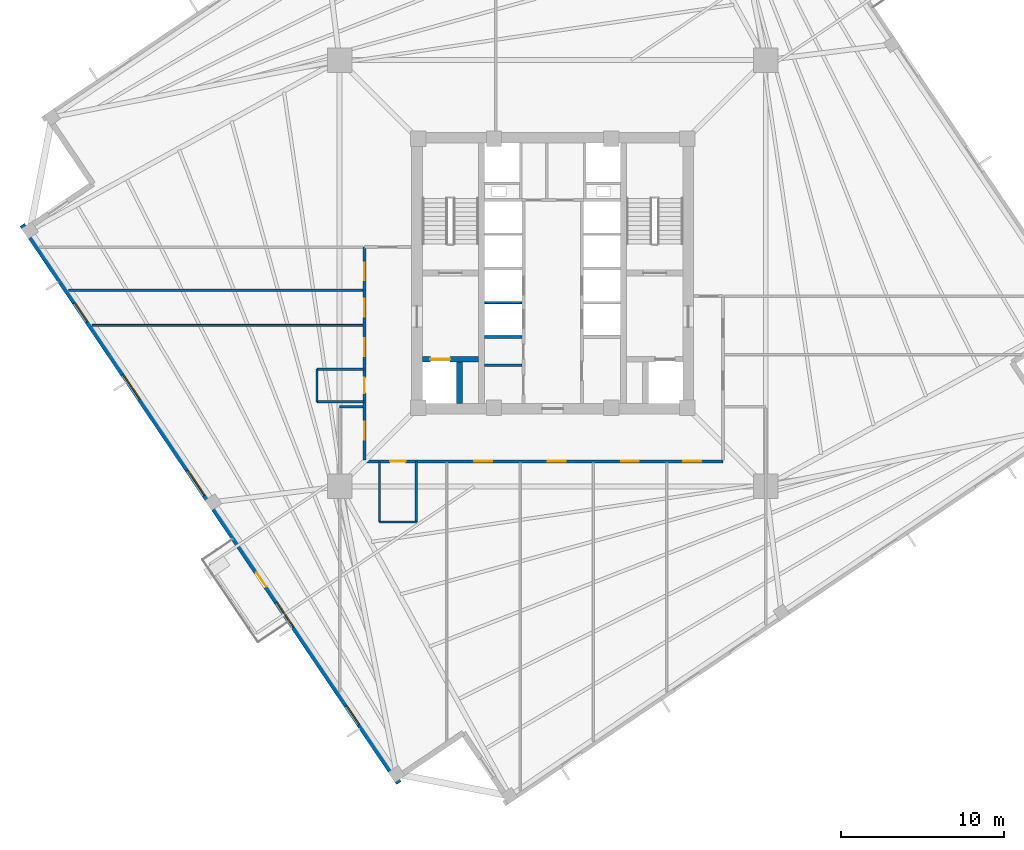
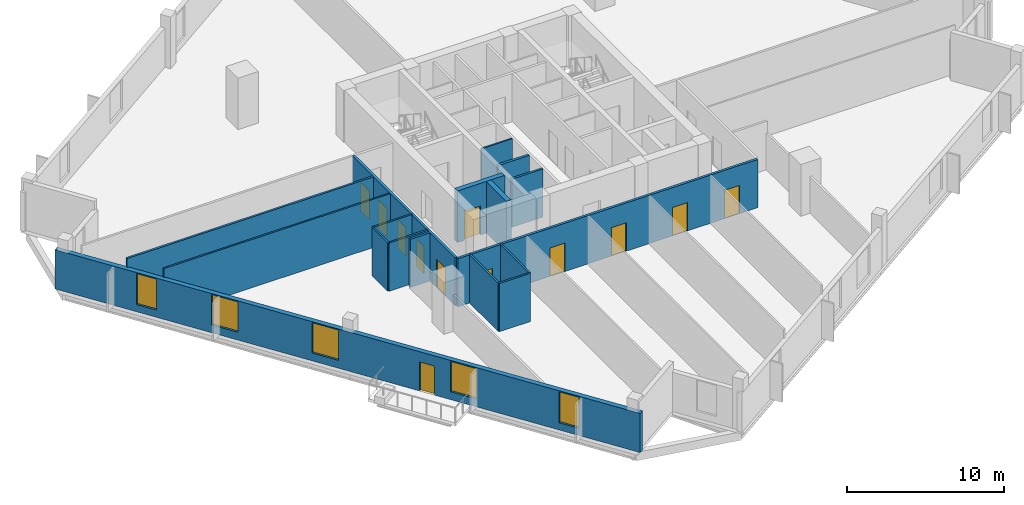
# One storey, part 3 of 9: 17 walls, 12 doors, 5 windows, 17 openings.
"""IFC4 building model written with IfcOpenShell, lengths in metres."""

import ifcopenshell
import ifcopenshell.guid

model = None  # the IFC model being written
_history = None  # IfcOwnerHistory: only IFC2X3 demands one
_inside = {}  # id of a spatial element -> (the spatial element, [elements in it])
_under = {}  # id of a project, library or spatial element -> (it, [spatial elements below it])
_declared = {}  # id of a project -> (the project, [libraries it declares])
_typed = {}  # id of a type object -> (the type object, [elements of that type])
_made_of = {}  # id of a material, layer set ... -> (it, [elements and type objects made of it])


def new_model(schema):
    """Start an empty IFC model of exactly this schema.

    Asked for "IFC4X3", IfcOpenShell would pick the latest addendum, in which some entities
    have other attributes; the version numbers below select the first issue.
    IFC2X3 requires an IfcOwnerHistory on every rooted entity: one is made here for all.
    """
    global model, _history
    if schema == "IFC4X3":
        model = ifcopenshell.file(schema_version=(4, 3, 0, 0))
    else:
        model = ifcopenshell.file(schema=schema)
    _inside.clear()
    _under.clear()
    _declared.clear()
    _typed.clear()
    _made_of.clear()
    _history = None
    if model.schema == "IFC2X3":
        org = make("IfcOrganization", Name="unknown")
        user = make(
            "IfcPersonAndOrganization",
            ThePerson=make("IfcPerson", FamilyName="unknown"),
            TheOrganization=org,
        )
        app = make(
            "IfcApplication",
            ApplicationDeveloper=org,
            Version="unknown",
            ApplicationFullName="unknown",
            ApplicationIdentifier="unknown",
        )
        _history = make(
            "IfcOwnerHistory",
            OwningUser=user,
            OwningApplication=app,
            ChangeAction="ADDED",
            CreationDate=0,
        )
    return model


def make(cls, **values):
    """One entity of the class cls with the attributes given. An attribute that is None is left unset."""
    return model.create_entity(
        cls, **{name: value for name, value in values.items() if value is not None}
    )


def rooted(cls, **values):
    """An entity with a GlobalId (a new one), such as an element, a storey or a relation."""
    return make(cls, GlobalId=ifcopenshell.guid.new(), OwnerHistory=_history, **values)


def si_unit(unit_type, name, prefix=None):
    """IfcSIUnit, for example si_unit("LENGTHUNIT", "METRE", prefix="MILLI")."""
    return make("IfcSIUnit", UnitType=unit_type, Prefix=prefix, Name=name)


def assignment(units):
    """IfcUnitAssignment: the units of a project."""
    return None if units is None else make("IfcUnitAssignment", Units=units)


def point(xyz):
    """IfcCartesianPoint."""
    return None if xyz is None else make("IfcCartesianPoint", Coordinates=xyz)


def direction(xyz):
    """IfcDirection."""
    return None if xyz is None else make("IfcDirection", DirectionRatios=xyz)


def frame(location, z_axis=None, x_axis=None):
    """IfcAxis2Placement3D, a coordinate frame: its origin and axes. An axis left out is left unset."""
    return make(
        "IfcAxis2Placement3D",
        Location=point(location),
        Axis=direction(z_axis),
        RefDirection=direction(x_axis),
    )


def frame_2d(location, x_axis=None):
    """IfcAxis2Placement2D, a coordinate frame in the plane: its origin and x axis."""
    return make(
        "IfcAxis2Placement2D", Location=point(location), RefDirection=direction(x_axis)
    )


def origin():
    """The frame at (0, 0, 0) with its axes left unset."""
    return frame((0.0, 0.0, 0.0))


def place(relative_to, where):
    """IfcLocalPlacement: puts the frame where relative to a parent placement (None: the world)."""
    return make(
        "IfcLocalPlacement", PlacementRelTo=relative_to, RelativePlacement=where
    )


def context(
    kind, dimensions, precision=None, world=None, true_north=None, identifier=None
):
    """IfcGeometricRepresentationContext, for example the 3D "Model" context."""
    return make(
        "IfcGeometricRepresentationContext",
        ContextIdentifier=identifier,
        ContextType=kind,
        CoordinateSpaceDimension=dimensions,
        Precision=precision,
        WorldCoordinateSystem=world,
        TrueNorth=true_north,
    )


def subcontext(parent, identifier, kind, view, scale=None):
    """IfcGeometricRepresentationSubContext, for example "Body" below "Model"."""
    return make(
        "IfcGeometricRepresentationSubContext",
        ContextIdentifier=identifier,
        ContextType=kind,
        ParentContext=parent,
        TargetScale=scale,
        TargetView=view,
    )


def project(units=None, contexts=None):
    """IfcProject with its units and contexts."""
    return rooted(
        "IfcProject",
        Name="project",
        RepresentationContexts=contexts,
        UnitsInContext=assignment(units),
    )


def spatial(cls, under=None, at=None, **own):
    """A site, building, storey or space (cls), placed at a placement, below another one or the project."""
    s = rooted(cls, ObjectPlacement=at, **own)
    if under is not None:
        _under.setdefault(under.id(), (under, []))[1].append(s)
    return s


def profile(cls, at=None, kind="AREA", **sizes):
    """A parametric profile (cls). Its sizes go by their IFC names, for example OverallWidth=200.0."""
    return make(cls, ProfileType=kind, Position=at, **sizes)


def rectangle(**sizes):
    """IfcRectangleProfileDef."""
    return profile("IfcRectangleProfileDef", **sizes)


def extrude(swept, where, along, depth):
    """IfcExtrudedAreaSolid: the profile swept, set in the frame where, extruded along a direction by depth."""
    return make(
        "IfcExtrudedAreaSolid",
        SweptArea=swept,
        Position=where,
        ExtrudedDirection=direction(along),
        Depth=depth,
    )


def shape(context_of_items, identifier, shape_type, items):
    """IfcShapeRepresentation: the items that make up one representation, for example the "Body"."""
    return make(
        "IfcShapeRepresentation",
        ContextOfItems=context_of_items,
        RepresentationIdentifier=identifier,
        RepresentationType=shape_type,
        Items=items,
    )


def source(mapping_origin, context_of_items, identifier, shape_type, items):
    """IfcRepresentationMap: a shape defined once, which mapped items show again and again."""
    return make(
        "IfcRepresentationMap",
        MappingOrigin=mapping_origin,
        MappedRepresentation=shape(context_of_items, identifier, shape_type, items),
    )


def transform(
    local_origin,
    x_axis=None,
    y_axis=None,
    z_axis=None,
    scale=None,
    scale2=None,
    scale3=None,
    uniform=True,
):
    """IfcCartesianTransformationOperator3D, or its non-uniform kind. x_axis, y_axis, z_axis: its Axis1, 2, 3."""
    if uniform:
        return make(
            "IfcCartesianTransformationOperator3D",
            Axis1=direction(x_axis),
            Axis2=direction(y_axis),
            LocalOrigin=point(local_origin),
            Scale=scale,
            Axis3=direction(z_axis),
        )
    return make(
        "IfcCartesianTransformationOperator3DnonUniform",
        Axis1=direction(x_axis),
        Axis2=direction(y_axis),
        LocalOrigin=point(local_origin),
        Scale=scale,
        Axis3=direction(z_axis),
        Scale2=scale2,
        Scale3=scale3,
    )


def mapped(mapping_source, mapping_target):
    """IfcMappedItem: shows the shape of a source again, moved by a transform."""
    return make(
        "IfcMappedItem", MappingSource=mapping_source, MappingTarget=mapping_target
    )


def material(Name=None, Category=None):
    """IfcMaterial."""
    return make("IfcMaterial", Name=Name, Category=Category)


def layer(
    of_material, thickness, ventilated=None, Name=None, Category=None, Priority=None
):
    """IfcMaterialLayer: one layer of a wall or slab, of a material (None: an air gap)."""
    return make(
        "IfcMaterialLayer",
        Material=of_material,
        LayerThickness=thickness,
        IsVentilated=ventilated,
        Name=Name,
        Category=Category,
        Priority=Priority,
    )


def layer_set(layers, Name=None):
    """IfcMaterialLayerSet."""
    return make("IfcMaterialLayerSet", MaterialLayers=layers, LayerSetName=Name)


def made_of(thing, what):
    """Note that an element or type object is made of a material, layer set ...; save() writes the relation."""
    if what is not None:
        _made_of.setdefault(what.id(), (what, []))[1].append(thing)
    return thing


def type_object(cls, material=None, **own):
    """A type object (cls), such as IfcWallType, which elements share."""
    return made_of(rooted(cls, **own), material)


def element(
    cls,
    number,
    at=None,
    inside=None,
    cuts=None,
    type_object=None,
    material=None,
    context=None,
    identifier="Body",
    shape_type=None,
    held_by="IfcProductDefinitionShape",
    body=None,
    shapes=None,
    **own,
):
    """One element of the class cls, such as IfcWall. Its Tag is "e" and its number.

    at: its placement. inside: the storey or other place that contains it. cuts: it is an
    opening in that element (IfcRelVoidsElement). A single representation is given by context,
    identifier, shape_type and body (its items); several are given by shapes. held_by: the class
    of the entity that holds the representations. save() writes the other relations.
    """
    e = rooted(cls, Tag="e%d" % number, ObjectPlacement=at, **own)
    if body is not None:
        shapes = [shape(context, identifier, shape_type, body)]
    if shapes is not None:
        e.Representation = make(held_by, Representations=shapes)
    if inside is not None:
        _inside.setdefault(inside.id(), (inside, []))[1].append(e)
    if cuts is not None:
        rooted(
            "IfcRelVoidsElement", RelatingBuildingElement=cuts, RelatedOpeningElement=e
        )
    if type_object is not None:
        _typed.setdefault(type_object.id(), (type_object, []))[1].append(e)
    return made_of(e, material)


def fill(opening, filler):
    """IfcRelFillsElement: the door or window that sits in an opening."""
    return rooted(
        "IfcRelFillsElement",
        RelatingOpeningElement=opening,
        RelatedBuildingElement=filler,
    )


def aggregate(whole, parts):
    """IfcRelAggregates: a whole, such as a stair, and the parts it consists of."""
    return rooted("IfcRelAggregates", RelatingObject=whole, RelatedObjects=parts)


def save(model, path):
    """Write the relations noted so far, then the file.

    IfcRelAggregates (storeys below a building ...), IfcRelContainedInSpatialStructure (elements
    in a storey), IfcRelDefinesByType, IfcRelAssociatesMaterial and IfcRelDeclares: one each for
    every whole, place, type object, material and project.
    """
    for whole, parts in _under.values():
        aggregate(whole, parts)
    for where, things in _inside.values():
        rooted(
            "IfcRelContainedInSpatialStructure",
            RelatedElements=things,
            RelatingStructure=where,
        )
    for kind, things in _typed.values():
        rooted("IfcRelDefinesByType", RelatedObjects=things, RelatingType=kind)
    for what, things in _made_of.values():
        rooted("IfcRelAssociatesMaterial", RelatedObjects=things, RelatingMaterial=what)
    for by, libraries in _declared.values():
        rooted("IfcRelDeclares", RelatingContext=by, RelatedDefinitions=libraries)
    model.write(path)


model = new_model("IFC4")

# Units and contexts
model_context = context("Model", 3, precision=1e-05, world=origin(), true_north=direction((0.0, 1.0)))
body_context = subcontext(model_context, "Body", "Model", "MODEL_VIEW")
ifc_project = project(units=[si_unit("LENGTHUNIT", "METRE"), si_unit("AREAUNIT", "SQUARE_METRE"), si_unit("VOLUMEUNIT", "CUBIC_METRE"), si_unit("PLANEANGLEUNIT", "RADIAN"), si_unit("MASSUNIT", "GRAM", prefix="KILO"), si_unit("THERMODYNAMICTEMPERATUREUNIT", "KELVIN")], contexts=[model_context])

# Site, building, storey
site_placement = place(None, origin())
site = spatial("IfcSite", under=ifc_project, at=site_placement, CompositionType="ELEMENT")
building_placement = place(site_placement, origin())
building = spatial("IfcBuilding", under=site, at=building_placement, Name="Kosmvard Interchange Tower", CompositionType="ELEMENT")
storey_placement = place(building_placement, frame((0.0, 0.0, 156.39990234375)))
storey = spatial("IfcBuildingStorey", under=building, at=storey_placement, Name="L37", CompositionType="ELEMENT", Elevation=156.39990234375)

# Walls
ifc_material_1 = material(Name="Acoustic gypsum partition system")
ifc_layer_1 = layer(ifc_material_1, 0.14990234375, Name="Acoustic gypsum partition system")
ifc_layer_set_1 = layer_set([ifc_layer_1], Name="Acoustic gypsum partition system")
wall_type_1 = type_object("IfcWallType", Name="Acoustic Suite & Meeting Partition 150", PredefinedType="PARTITIONING", material=ifc_layer_set_1)
wall_1_placement = place(storey_placement, frame((-29.718505859375, -1.050048828125, 0.0), z_axis=(0.0, 0.0, 1.0), x_axis=(1.0, 0.0, 0.0)))
element("IfcWall", 1, at=wall_1_placement, inside=storey, type_object=wall_type_1, Name="L37 Room Partition 02.1", PredefinedType="PARTITIONING", context=body_context, shape_type="SweptSolid", body=[
    extrude(rectangle(XDim=18.073486328125, YDim=0.14990234375, at=frame_2d((9.03662109375, 0.0))), origin(), (0.0, 0.0, 1.0), 3.739990234375),
])
wall_2_placement = place(storey_placement, frame((-11.64501953125, -8.199951171875, 0.0), z_axis=(0.0, 0.0, 1.0), x_axis=(-1.0, 0.0, 0.0)))
element("IfcWall", 2, at=wall_2_placement, inside=storey, type_object=wall_type_1, Name="L37 Room Partition 05.1", PredefinedType="PARTITIONING", context=body_context, shape_type="SweptSolid", body=[
    extrude(rectangle(XDim=1.43603515625, YDim=0.14990234375, at=frame_2d((0.718017578125, 0.0))), origin(), (0.0, 0.0, 1.0), 3.739990234375),
])
ifc_material_2 = material(Name="Fire-rated gypsum partition system")
ifc_layer_2 = layer(ifc_material_2, 0.159912109375, Name="Fire-rated gypsum partition system")
ifc_layer_set_2 = layer_set([ifc_layer_2], Name="Fire-rated gypsum partition system")
wall_type_2 = type_object("IfcWallType", Name="Core Compartment & Shuttle Lobby Partition 160", PredefinedType="PARTITIONING", material=ifc_layer_set_2)
wall_3_placement = place(storey_placement, frame((-4.169921875, -5.64990234375, 0.0), z_axis=(0.0, 0.0, 1.0), x_axis=(1.0, 0.0, 0.0)))
element("IfcWall", 3, at=wall_3_placement, inside=storey, type_object=wall_type_2, Name="L37 Reclaimed Split W", PredefinedType="PARTITIONING", context=body_context, shape_type="SweptSolid", body=[
    extrude(rectangle(XDim=2.280029296875, YDim=0.159912109375, at=frame_2d((1.14013671875, 0.0))), origin(), (0.0, 0.0, 1.0), 3.739990234375),
])

# Wall, openings, doors
ifc_layer_3 = layer(ifc_material_2, 0.179931640625, Name="Fire-rated gypsum partition system")
ifc_layer_set_3 = layer_set([ifc_layer_3], Name="Fire-rated gypsum partition system")
wall_type_3 = type_object("IfcWallType", Name="Corridor & Hotel Compartment Partition 180", PredefinedType="PARTITIONING", material=ifc_layer_set_3)
wall_4_placement = place(storey_placement, frame((-11.550048828125, -11.550048828125, 0.0), z_axis=(0.0, 0.0, 1.0), x_axis=(1.0, 0.0, 0.0)))
wall_4 = element("IfcWall", 4, at=wall_4_placement, inside=storey, type_object=wall_type_3, Name="L37 Corridor Wall CS", PredefinedType="PARTITIONING", context=body_context, shape_type="SweptSolid", body=[
    extrude(rectangle(XDim=22.0, YDim=0.179931640625, at=frame_2d((11.0, 0.0))), origin(), (0.0, 0.0, 1.0), 3.739990234375),
])
opening_1_placement = place(wall_4_placement, frame((1.580078125, 0.0, 0.0)))
opening_1 = element("IfcOpeningElement", 5, at=opening_1_placement, cuts=wall_4, Name="Opening L37-D02", PredefinedType="OPENING", context=body_context, shape_type="SweptSolid", body=[
    extrude(rectangle(XDim=0.949951171875, YDim=2.10009765625, at=frame_2d((0.47509765625, 1.050048828125))), frame((0.0, 0.10009765625, 0.0), z_axis=(0.0, -1.0, 0.0), x_axis=(1.0, 0.0, 0.0)), (0.0, 0.0, 1.0), 0.199951171875),
])
opening_2_placement = place(wall_4_placement, frame((6.75, 0.0, 0.0)))
opening_2 = element("IfcOpeningElement", 6, at=opening_2_placement, cuts=wall_4, Name="Opening L37-D09", PredefinedType="OPENING", context=body_context, shape_type="SweptSolid", body=[
    extrude(rectangle(XDim=1.10009765625, YDim=2.199951171875, at=frame_2d((0.550048828125, 1.10009765625))), frame((0.0, 0.10009765625, 0.0), z_axis=(0.0, -1.0, 0.0), x_axis=(1.0, 0.0, 0.0)), (0.0, 0.0, 1.0), 0.199951171875),
])
opening_3_placement = place(wall_4_placement, frame((11.25, 0.0, 0.0)))
opening_3 = element("IfcOpeningElement", 7, at=opening_3_placement, cuts=wall_4, Name="Opening L37-D10", PredefinedType="OPENING", context=body_context, shape_type="SweptSolid", body=[
    extrude(rectangle(XDim=1.10009765625, YDim=2.199951171875, at=frame_2d((0.550048828125, 1.10009765625))), frame((0.0, 0.10009765625, 0.0), z_axis=(0.0, -1.0, 0.0), x_axis=(1.0, 0.0, 0.0)), (0.0, 0.0, 1.0), 0.199951171875),
])
opening_4_placement = place(wall_4_placement, frame((15.75, 0.0, 0.0)))
opening_4 = element("IfcOpeningElement", 8, at=opening_4_placement, cuts=wall_4, Name="Opening L37-D11", PredefinedType="OPENING", context=body_context, shape_type="SweptSolid", body=[
    extrude(rectangle(XDim=1.10009765625, YDim=2.199951171875, at=frame_2d((0.550048828125, 1.10009765625))), frame((0.0, 0.10009765625, 0.0), z_axis=(0.0, -1.0, 0.0), x_axis=(1.0, 0.0, 0.0)), (0.0, 0.0, 1.0), 0.199951171875),
])
opening_5_placement = place(wall_4_placement, frame((19.560546875, 0.0, 0.0)))
opening_5 = element("IfcOpeningElement", 9, at=opening_5_placement, cuts=wall_4, Name="Opening L37-D12", PredefinedType="OPENING", context=body_context, shape_type="SweptSolid", body=[
    extrude(rectangle(XDim=1.10009765625, YDim=2.199951171875, at=frame_2d((0.550048828125, 1.10009765625))), frame((0.0, 0.10009765625, 0.0), z_axis=(0.0, -1.0, 0.0), x_axis=(1.0, 0.0, 0.0)), (0.0, 0.0, 1.0), 0.199951171875),
])
ifc_material_3 = material(Name="Laminated moisture-resistant timber", Category="wood")
door_type_1 = type_object("IfcDoorType", Name="Accessible Washroom Door 950x2100", OperationType="NOTDEFINED", PredefinedType="DOOR", material=ifc_material_3)
shared_shape_1 = source(origin(), body_context, "Body", "SweptSolid", [
    extrude(rectangle(XDim=0.949951171875, YDim=2.10009765625, at=frame_2d((0.47509765625, 1.050048828125))), frame((0.0, 0.02490234375, 0.0), z_axis=(0.0, -1.0, 0.0), x_axis=(1.0, 0.0, 0.0)), (0.0, 0.0, 1.0), 0.050048828125),
])
door_1_placement = place(opening_1_placement, frame((0.949951171875, 0.0, 0.0), z_axis=(0.0, 0.0, 1.0), x_axis=(-1.0, 0.0, 0.0)))
door_1 = element("IfcDoor", 10, at=door_1_placement, inside=storey, type_object=door_type_1, Name="L37 Public Floor Washroom Door", OperationType="SINGLE_SWING_RIGHT", OverallHeight=2.10009765625, OverallWidth=0.949951171875, PredefinedType="DOOR", context=body_context, shape_type="MappedRepresentation", body=[
    mapped(shared_shape_1, transform((0.0, 0.0, 0.0), scale=1.0)),
])
fill(opening_1, door_1)
ifc_material_4 = material(Name="Engineered oak fire-rated timber", Category="wood")
door_type_2 = type_object("IfcDoorType", Name="Office Suite Entrance Door 1100x2200 FD30S", OperationType="NOTDEFINED", PredefinedType="DOOR", material=ifc_material_4)
shared_shape_2 = source(origin(), body_context, "Body", "SweptSolid", [
    extrude(rectangle(XDim=1.10009765625, YDim=2.199951171875, at=frame_2d((0.550048828125, 1.10009765625))), frame((0.0, 0.02490234375, 0.0), z_axis=(0.0, -1.0, 0.0), x_axis=(1.0, 0.0, 0.0)), (0.0, 0.0, 1.0), 0.050048828125),
])
door_2_placement = place(opening_2_placement, frame((1.10009765625, 0.0, 0.0), z_axis=(0.0, 0.0, 1.0), x_axis=(-1.0, 0.0, 0.0)))
door_2 = element("IfcDoor", 11, at=door_2_placement, inside=storey, type_object=door_type_2, Name="L37 Trade Cellular Office 3 Door", OperationType="SINGLE_SWING_LEFT", OverallHeight=2.199951171875, OverallWidth=1.10009765625, PredefinedType="DOOR", context=body_context, shape_type="MappedRepresentation", body=[
    mapped(shared_shape_2, transform((0.0, 0.0, 0.0), scale=1.0)),
])
fill(opening_2, door_2)
door_3_placement = place(opening_3_placement, frame((1.10009765625, 0.0, 0.0), z_axis=(0.0, 0.0, 1.0), x_axis=(-1.0, 0.0, 0.0)))
door_3 = element("IfcDoor", 12, at=door_3_placement, inside=storey, type_object=door_type_2, Name="L37 Trade Cellular Office 4 Door", OperationType="SINGLE_SWING_RIGHT", OverallHeight=2.199951171875, OverallWidth=1.10009765625, PredefinedType="DOOR", context=body_context, shape_type="MappedRepresentation", body=[
    mapped(shared_shape_2, transform((0.0, 0.0, 0.0), scale=1.0)),
])
fill(opening_3, door_3)
door_4_placement = place(opening_4_placement, frame((1.10009765625, 0.0, 0.0), z_axis=(0.0, 0.0, 1.0), x_axis=(-1.0, 0.0, 0.0)))
door_4 = element("IfcDoor", 13, at=door_4_placement, inside=storey, type_object=door_type_2, Name="L37 Trade Cellular Office 5 Door", OperationType="SINGLE_SWING_LEFT", OverallHeight=2.199951171875, OverallWidth=1.10009765625, PredefinedType="DOOR", context=body_context, shape_type="MappedRepresentation", body=[
    mapped(shared_shape_2, transform((0.0, 0.0, 0.0), scale=1.0)),
])
fill(opening_4, door_4)
door_5_placement = place(opening_5_placement, frame((1.10009765625, 0.0, 0.0), z_axis=(0.0, 0.0, 1.0), x_axis=(-1.0, 0.0, 0.0)))
door_5 = element("IfcDoor", 14, at=door_5_placement, inside=storey, type_object=door_type_2, Name="L37 Trade Partner Office 6 Door", OperationType="SINGLE_SWING_RIGHT", OverallHeight=2.199951171875, OverallWidth=1.10009765625, PredefinedType="DOOR", context=body_context, shape_type="MappedRepresentation", body=[
    mapped(shared_shape_2, transform((0.0, 0.0, 0.0), scale=1.0)),
])
fill(opening_5, door_5)

wall_5_placement = place(storey_placement, frame((-11.550048828125, -11.449951171875, 0.0), z_axis=(0.0, 0.0, 1.0), x_axis=(0.0, 1.0, 0.0)))
wall_5 = element("IfcWall", 15, at=wall_5_placement, inside=storey, type_object=wall_type_3, Name="L37 Corridor Wall CW", PredefinedType="PARTITIONING", context=body_context, shape_type="SweptSolid", body=[
    extrude(rectangle(XDim=13.050048828125, YDim=0.179931640625, at=frame_2d((6.52490234375, 0.0))), origin(), (0.0, 0.0, 1.0), 3.739990234375),
])
opening_6_placement = place(wall_5_placement, frame((4.086181640625, 0.0, 0.0)))
opening_6 = element("IfcOpeningElement", 16, at=opening_6_placement, cuts=wall_5, Name="Opening L37-D01", PredefinedType="OPENING", context=body_context, shape_type="SweptSolid", body=[
    extrude(rectangle(XDim=0.949951171875, YDim=2.10009765625, at=frame_2d((0.47509765625, 1.050048828125))), frame((0.0, 0.10009765625, 0.0), z_axis=(0.0, -1.0, 0.0), x_axis=(1.0, 0.0, 0.0)), (0.0, 0.0, 1.0), 0.199951171875),
])
opening_7_placement = place(wall_5_placement, frame((11.010498046875, 0.0, 0.0)))
opening_7 = element("IfcOpeningElement", 17, at=opening_7_placement, cuts=wall_5, Name="Opening L37-D03", PredefinedType="OPENING", context=body_context, shape_type="SweptSolid", body=[
    extrude(rectangle(XDim=1.10009765625, YDim=2.199951171875, at=frame_2d((0.550048828125, 1.10009765625))), frame((0.0, 0.10009765625, 0.0), z_axis=(0.0, -1.0, 0.0), x_axis=(1.0, 0.0, 0.0)), (0.0, 0.0, 1.0), 0.199951171875),
])
opening_8_placement = place(wall_5_placement, frame((8.77490234375, 0.0, 0.0)))
opening_8 = element("IfcOpeningElement", 18, at=opening_8_placement, cuts=wall_5, Name="Opening L37-D06", PredefinedType="OPENING", context=body_context, shape_type="SweptSolid", body=[
    extrude(rectangle(XDim=1.10009765625, YDim=2.199951171875, at=frame_2d((0.550048828125, 1.10009765625))), frame((0.0, 0.10009765625, 0.0), z_axis=(0.0, -1.0, 0.0), x_axis=(1.0, 0.0, 0.0)), (0.0, 0.0, 1.0), 0.199951171875),
])
opening_9_placement = place(wall_5_placement, frame((6.349609375, 0.0, 0.0)))
opening_9 = element("IfcOpeningElement", 19, at=opening_9_placement, cuts=wall_5, Name="Opening L37-D07", PredefinedType="OPENING", context=body_context, shape_type="SweptSolid", body=[
    extrude(rectangle(XDim=1.10009765625, YDim=2.199951171875, at=frame_2d((0.550048828125, 1.10009765625))), frame((0.0, 0.10009765625, 0.0), z_axis=(0.0, -1.0, 0.0), x_axis=(1.0, 0.0, 0.0)), (0.0, 0.0, 1.0), 0.199951171875),
])
opening_10_placement = place(wall_5_placement, frame((1.239501953125, 0.0, 0.0)))
opening_10 = element("IfcOpeningElement", 20, at=opening_10_placement, cuts=wall_5, Name="Opening L37-D08", PredefinedType="OPENING", context=body_context, shape_type="SweptSolid", body=[
    extrude(rectangle(XDim=1.10009765625, YDim=2.199951171875, at=frame_2d((0.550048828125, 1.10009765625))), frame((0.0, 0.10009765625, 0.0), z_axis=(0.0, -1.0, 0.0), x_axis=(1.0, 0.0, 0.0)), (0.0, 0.0, 1.0), 0.199951171875),
])
door_6_placement = place(opening_6_placement, origin())
door_6 = element("IfcDoor", 21, at=door_6_placement, inside=storey, type_object=door_type_1, Name="L37 Accessible Toilet Door", OperationType="SINGLE_SWING_LEFT", OverallHeight=2.10009765625, OverallWidth=0.949951171875, PredefinedType="DOOR", context=body_context, shape_type="MappedRepresentation", body=[
    mapped(shared_shape_1, transform((0.0, 0.0, 0.0), scale=1.0)),
])
fill(opening_6, door_6)
door_7_placement = place(opening_7_placement, origin())
door_7 = element("IfcDoor", 22, at=door_7_placement, inside=storey, type_object=door_type_2, Name="L37 West Innovation Studio Door", OperationType="SINGLE_SWING_LEFT", OverallHeight=2.199951171875, OverallWidth=1.10009765625, PredefinedType="DOOR", context=body_context, shape_type="MappedRepresentation", body=[
    mapped(shared_shape_2, transform((0.0, 0.0, 0.0), scale=1.0)),
])
fill(opening_7, door_7)
door_8_placement = place(opening_8_placement, origin())
door_8 = element("IfcDoor", 23, at=door_8_placement, inside=storey, type_object=door_type_2, Name="L37 Hardware Lab Store Door", OperationType="SINGLE_SWING_RIGHT", OverallHeight=2.199951171875, OverallWidth=1.10009765625, PredefinedType="DOOR", context=body_context, shape_type="MappedRepresentation", body=[
    mapped(shared_shape_2, transform((0.0, 0.0, 0.0), scale=1.0)),
])
fill(opening_8, door_8)
door_9_placement = place(opening_9_placement, origin())
door_9 = element("IfcDoor", 24, at=door_9_placement, inside=storey, type_object=door_type_2, Name="L37 West Architecture Office 1 Door", OperationType="SINGLE_SWING_LEFT", OverallHeight=2.199951171875, OverallWidth=1.10009765625, PredefinedType="DOOR", context=body_context, shape_type="MappedRepresentation", body=[
    mapped(shared_shape_2, transform((0.0, 0.0, 0.0), scale=1.0)),
])
fill(opening_9, door_9)
door_10_placement = place(opening_10_placement, origin())
door_10 = element("IfcDoor", 25, at=door_10_placement, inside=storey, type_object=door_type_2, Name="L37 Trade Cellular Office 2 Door", OperationType="SINGLE_SWING_RIGHT", OverallHeight=2.199951171875, OverallWidth=1.10009765625, PredefinedType="DOOR", context=body_context, shape_type="MappedRepresentation", body=[
    mapped(shared_shape_2, transform((0.0, 0.0, 0.0), scale=1.0)),
])
fill(opening_10, door_10)

# Wall, openings, door, windows
ifc_material_5 = material(Name="Precast concrete C45/55", Category="concrete")
ifc_layer_4 = layer(ifc_material_5, 0.340087890625, Name="Precast concrete C45/55")
ifc_layer_set_4 = layer_set([ifc_layer_4], Name="Precast concrete C45/55")
wall_type_4 = type_object("IfcWallType", Name="Mid Tower Precast Pier Wall 340 C45/55", PredefinedType="STANDARD", material=ifc_layer_set_4)
wall_6_placement = place(storey_placement, frame((-32.55810546875, 2.971923828125, 0.0), z_axis=(0.0, 0.0, 1.0), x_axis=(0.559194910251, -0.829036218961, 0.0)))
wall_6 = element("IfcWall", 26, at=wall_6_placement, inside=storey, type_object=wall_type_4, Name="L37 Precast Facade Wall F-W", PredefinedType="STANDARD", context=body_context, shape_type="SweptSolid", body=[
    extrude(rectangle(XDim=41.340087890625, YDim=0.340087890625, at=frame_2d((20.669921875, 0.0))), origin(), (0.0, 0.0, 1.0), 3.0400390625),
])
opening_11_placement = place(wall_6_placement, frame((25.7451171875, 0.0, 0.0)))
opening_11 = element("IfcOpeningElement", 27, at=opening_11_placement, cuts=wall_6, Name="Opening L37-BDW", PredefinedType="OPENING", context=body_context, shape_type="SweptSolid", body=[
    extrude(rectangle(XDim=1.050048828125, YDim=2.25, at=frame_2d((0.52490234375, 1.125))), frame((0.0, 0.18017578125, 0.0), z_axis=(0.0, -1.0, 0.0), x_axis=(1.0, 0.0, 0.0)), (0.0, 0.0, 1.0), 0.360107421875),
])
opening_12_placement = place(wall_6_placement, frame((5.7607421875, 0.0, 0.56005859375)))
opening_12 = element("IfcOpeningElement", 28, at=opening_12_placement, cuts=wall_6, Name="Opening L37-W16", PredefinedType="OPENING", context=body_context, shape_type="SweptSolid", body=[
    extrude(rectangle(XDim=1.39990234375, YDim=2.39990234375, at=frame_2d((0.699951171875, 1.199951171875))), frame((0.0, 0.18017578125, 0.0), z_axis=(0.0, -1.0, 0.0), x_axis=(1.0, 0.0, 0.0)), (0.0, 0.0, 1.0), 0.360107421875),
])
opening_13_placement = place(wall_6_placement, frame((11.063720703125, 0.0, 0.610107421875)))
opening_13 = element("IfcOpeningElement", 29, at=opening_13_placement, cuts=wall_6, Name="Opening L37-W17", PredefinedType="OPENING", context=body_context, shape_type="SweptSolid", body=[
    extrude(rectangle(XDim=1.85009765625, YDim=2.35009765625, at=frame_2d((0.925048828125, 1.175048828125))), frame((0.0, 0.18017578125, 0.0), z_axis=(0.0, -1.0, 0.0), x_axis=(1.0, 0.0, 0.0)), (0.0, 0.0, 1.0), 0.360107421875),
])
opening_14_placement = place(wall_6_placement, frame((18.168212890625, 0.0, 0.610107421875)))
opening_14 = element("IfcOpeningElement", 30, at=opening_14_placement, cuts=wall_6, Name="Opening L37-W18", PredefinedType="OPENING", context=body_context, shape_type="SweptSolid", body=[
    extrude(rectangle(XDim=1.85009765625, YDim=2.35009765625, at=frame_2d((0.925048828125, 1.175048828125))), frame((0.0, 0.18017578125, 0.0), z_axis=(0.0, -1.0, 0.0), x_axis=(1.0, 0.0, 0.0)), (0.0, 0.0, 1.0), 0.360107421875),
])
opening_15_placement = place(wall_6_placement, frame((27.936279296875, 0.0, 0.610107421875)))
opening_15 = element("IfcOpeningElement", 31, at=opening_15_placement, cuts=wall_6, Name="Opening L37-W19", PredefinedType="OPENING", context=body_context, shape_type="SweptSolid", body=[
    extrude(rectangle(XDim=1.85009765625, YDim=2.35009765625, at=frame_2d((0.925048828125, 1.175048828125))), frame((0.0, 0.18017578125, 0.0), z_axis=(0.0, -1.0, 0.0), x_axis=(1.0, 0.0, 0.0)), (0.0, 0.0, 1.0), 0.360107421875),
])
opening_16_placement = place(wall_6_placement, frame((35.602294921875, 0.0, 0.56005859375)))
opening_16 = element("IfcOpeningElement", 32, at=opening_16_placement, cuts=wall_6, Name="Opening L37-W20", PredefinedType="OPENING", context=body_context, shape_type="SweptSolid", body=[
    extrude(rectangle(XDim=1.39990234375, YDim=2.39990234375, at=frame_2d((0.699951171875, 1.199951171875))), frame((0.0, 0.18017578125, 0.0), z_axis=(0.0, -1.0, 0.0), x_axis=(1.0, 0.0, 0.0)), (0.0, 0.0, 1.0), 0.360107421875),
])
ifc_material_6 = material(Name="Anodised aluminium and safety glass", Category="aluminium")
door_type_3 = type_object("IfcDoorType", Name="Tree-Balcony Glazed Door 1050x2250", OperationType="NOTDEFINED", PredefinedType="DOOR", material=ifc_material_6)
shared_shape_3 = source(origin(), body_context, "Body", "SweptSolid", [
    extrude(rectangle(XDim=1.050048828125, YDim=2.25, at=frame_2d((0.52490234375, 1.125))), frame((0.0, 0.02490234375, 0.0), z_axis=(0.0, -1.0, 0.0), x_axis=(1.0, 0.0, 0.0)), (0.0, 0.0, 1.0), 0.050048828125),
])
door_11_placement = place(opening_11_placement, origin())
door_11 = element("IfcDoor", 33, at=door_11_placement, inside=storey, type_object=door_type_3, Name="L37 Tree-Balcony Door BAL-L37-W", OperationType="SINGLE_SWING_RIGHT", OverallHeight=2.25, OverallWidth=1.050048828125, PredefinedType="DOOR", context=body_context, shape_type="MappedRepresentation", body=[
    mapped(shared_shape_3, transform((0.0, 0.0, 0.0), scale=1.0)),
])
fill(opening_11, door_11)
ifc_material_7 = material(Name="Low-E solar-control double glazing", Category="glass")
window_type_1 = type_object("IfcWindowType", Name="Notched Corner Feature Window 1400x2400", PartitioningType="SINGLE_PANEL", PredefinedType="WINDOW", material=ifc_material_7)
shared_shape_4 = source(origin(), body_context, "Body", "SweptSolid", [
    extrude(rectangle(XDim=1.39990234375, YDim=2.39990234375, at=frame_2d((0.699951171875, 1.199951171875))), frame((0.0, 0.030029296875, 0.0), z_axis=(0.0, -1.0, 0.0), x_axis=(1.0, 0.0, 0.0)), (0.0, 0.0, 1.0), 0.06005859375),
])
window_1_placement = place(opening_12_placement, origin())
window_1 = element("IfcWindow", 34, at=window_1_placement, inside=storey, type_object=window_type_1, Name="L37 Facade Punched Window 16", OverallHeight=2.39990234375, OverallWidth=1.39990234375, PartitioningType="SINGLE_PANEL", PredefinedType="WINDOW", context=body_context, shape_type="MappedRepresentation", body=[
    mapped(shared_shape_4, transform((0.0, 0.0, 0.0), scale=1.0)),
])
fill(opening_12, window_1)
window_2_placement = place(opening_16_placement, origin())
window_2 = element("IfcWindow", 35, at=window_2_placement, inside=storey, type_object=window_type_1, Name="L37 Facade Punched Window 20", OverallHeight=2.39990234375, OverallWidth=1.39990234375, PartitioningType="SINGLE_PANEL", PredefinedType="WINDOW", context=body_context, shape_type="MappedRepresentation", body=[
    mapped(shared_shape_4, transform((0.0, 0.0, 0.0), scale=1.0)),
])
fill(opening_16, window_2)
window_type_2 = type_object("IfcWindowType", Name="Zone 3 Office Punched Window 1850x2350", PartitioningType="SINGLE_PANEL", PredefinedType="WINDOW", material=ifc_material_7)
shared_shape_5 = source(origin(), body_context, "Body", "SweptSolid", [
    extrude(rectangle(XDim=1.85009765625, YDim=2.35009765625, at=frame_2d((0.925048828125, 1.175048828125))), frame((0.0, 0.030029296875, 0.0), z_axis=(0.0, -1.0, 0.0), x_axis=(1.0, 0.0, 0.0)), (0.0, 0.0, 1.0), 0.06005859375),
])
window_3_placement = place(opening_13_placement, origin())
window_3 = element("IfcWindow", 36, at=window_3_placement, inside=storey, type_object=window_type_2, Name="L37 Facade Punched Window 17", OverallHeight=2.35009765625, OverallWidth=1.85009765625, PartitioningType="SINGLE_PANEL", PredefinedType="WINDOW", context=body_context, shape_type="MappedRepresentation", body=[
    mapped(shared_shape_5, transform((0.0, 0.0, 0.0), scale=1.0)),
])
fill(opening_13, window_3)
window_4_placement = place(opening_14_placement, origin())
window_4 = element("IfcWindow", 37, at=window_4_placement, inside=storey, type_object=window_type_2, Name="L37 Facade Punched Window 18", OverallHeight=2.35009765625, OverallWidth=1.85009765625, PartitioningType="SINGLE_PANEL", PredefinedType="WINDOW", context=body_context, shape_type="MappedRepresentation", body=[
    mapped(shared_shape_5, transform((0.0, 0.0, 0.0), scale=1.0)),
])
fill(opening_14, window_4)
window_5_placement = place(opening_15_placement, origin())
window_5 = element("IfcWindow", 38, at=window_5_placement, inside=storey, type_object=window_type_2, Name="L37 Facade Punched Window 19", OverallHeight=2.35009765625, OverallWidth=1.85009765625, PartitioningType="SINGLE_PANEL", PredefinedType="WINDOW", context=body_context, shape_type="MappedRepresentation", body=[
    mapped(shared_shape_5, transform((0.0, 0.0, 0.0), scale=1.0)),
])
fill(opening_15, window_5)

# Walls
ifc_material_8 = material(Name="Gypsum board partition system")
ifc_layer_5 = layer(ifc_material_8, 0.1201171875, Name="Gypsum board partition system")
ifc_layer_set_5 = layer_set([ifc_layer_5], Name="Gypsum board partition system")
wall_type_5 = type_object("IfcWallType", Name="Office Cellular Partition 120", PredefinedType="PARTITIONING", material=ifc_layer_set_5)
wall_7_placement = place(storey_placement, frame((-28.268310546875, -3.199951171875, 0.0), z_axis=(0.0, 0.0, 1.0), x_axis=(1.0, 0.0, 0.0)))
element("IfcWall", 39, at=wall_7_placement, inside=storey, type_object=wall_type_5, Name="L37 Room Partition 07.1", PredefinedType="PARTITIONING", context=body_context, shape_type="SweptSolid", body=[
    extrude(rectangle(XDim=16.623291015625, YDim=0.1201171875, at=frame_2d((8.3115234375, 0.0))), origin(), (0.0, 0.0, 1.0), 3.739990234375),
])
ifc_material_9 = material(Name="Concrete blockwork masonry", Category="masonry")
ifc_layer_6 = layer(ifc_material_9, 0.179931640625, Name="Concrete blockwork masonry")
ifc_layer_set_6 = layer_set([ifc_layer_6], Name="Concrete blockwork masonry")
wall_type_6 = type_object("IfcWallType", Name="Riser & Lift Bank Divider Wall 180", PredefinedType="PARTITIONING", material=ifc_layer_set_6)
wall_8_placement = place(storey_placement, frame((-4.169921875, -3.89990234375, 0.0), z_axis=(0.0, 0.0, 1.0), x_axis=(1.0, 0.0, 0.0)))
element("IfcWall", 40, at=wall_8_placement, inside=storey, type_object=wall_type_6, Name="L37 West Bank Divider BD1", PredefinedType="PARTITIONING", context=body_context, shape_type="SweptSolid", body=[
    extrude(rectangle(XDim=2.280029296875, YDim=0.179931640625, at=frame_2d((1.14013671875, 0.0))), origin(), (0.0, 0.0, 1.0), 3.739990234375),
])
ifc_material_10 = material(Name="Fire-rated gypsum shaftwall system")
ifc_layer_7 = layer(ifc_material_10, 0.1201171875, Name="Fire-rated gypsum shaftwall system")
ifc_layer_set_7 = layer_set([ifc_layer_7], Name="Fire-rated gypsum shaftwall system")
wall_type_7 = type_object("IfcWallType", Name="Shaft & Riser Fire Partition 120 EI60", PredefinedType="PARTITIONING", material=ifc_layer_set_7)
wall_9_placement = place(storey_placement, frame((-4.159912109375, -1.800048828125, 0.0), z_axis=(0.0, 0.0, 1.0), x_axis=(1.0, 0.0, 0.0)))
element("IfcWall", 41, at=wall_9_placement, inside=storey, type_object=wall_type_7, Name="L37 Shaft Divider PL-M1", PredefinedType="PARTITIONING", context=body_context, shape_type="SweptSolid", body=[
    extrude(rectangle(XDim=2.260009765625, YDim=0.1201171875, at=frame_2d((1.1298828125, 0.0))), origin(), (0.0, 0.0, 1.0), 3.739990234375),
])

# Wall, opening, door
ifc_material_11 = material(Name="Concrete C60/75", Category="concrete")
ifc_layer_8 = layer(ifc_material_11, 0.360107421875, Name="Concrete C60/75")
ifc_layer_set_8 = layer_set([ifc_layer_8], Name="Concrete C60/75")
wall_type_8 = type_object("IfcWallType", Name="Stair & Lift Shaft Shear Wall 360 C60/75", PredefinedType="SHEAR", material=ifc_layer_set_8)
wall_10_placement = place(storey_placement, frame((-8.0, -5.280029296875, 0.0), z_axis=(0.0, 0.0, 1.0), x_axis=(1.0, 0.0, 0.0)))
wall_10 = element("IfcWall", 42, at=wall_10_placement, inside=storey, type_object=wall_type_8, Name="L37 Shaft Shear Wall SW-FF1", PredefinedType="SHEAR", context=body_context, shape_type="SweptSolid", body=[
    extrude(rectangle(XDim=3.4599609375, YDim=0.360107421875, at=frame_2d((1.72998046875, 0.0))), origin(), (0.0, 0.0, 1.0), 4.0),
])
opening_17_placement = place(wall_10_placement, frame((0.5, 0.0, 0.0)))
opening_17 = element("IfcOpeningElement", 43, at=opening_17_placement, cuts=wall_10, Name="Opening LD-FF-1-L37", PredefinedType="OPENING", context=body_context, shape_type="SweptSolid", body=[
    extrude(rectangle(XDim=1.199951171875, YDim=2.25, at=frame_2d((0.60009765625, 1.125))), frame((0.0, 0.18994140625, 0.0), z_axis=(0.0, -1.0, 0.0), x_axis=(1.0, 0.0, 0.0)), (0.0, 0.0, 1.0), 0.380126953125),
])
ifc_material_12 = material(Name="Brushed stainless steel sliding leaf", Category="steel")
door_type_4 = type_object("IfcDoorType", Name="Firefighting Lift Sliding Landing Door 1200x2250 EI120", OperationType="DOUBLE_DOOR_SLIDING", PredefinedType="DOOR", material=ifc_material_12)
shared_shape_6 = source(origin(), body_context, "Body", "SweptSolid", [
    extrude(rectangle(XDim=1.199951171875, YDim=2.25, at=frame_2d((0.60009765625, 1.125))), frame((0.0, 0.02490234375, 0.0), z_axis=(0.0, -1.0, 0.0), x_axis=(1.0, 0.0, 0.0)), (0.0, 0.0, 1.0), 0.050048828125),
])
door_12_placement = place(opening_17_placement, origin())
door_12 = element("IfcDoor", 44, at=door_12_placement, inside=storey, type_object=door_type_4, Name="Lift FF-1 Landing Door L37", OperationType="DOUBLE_DOOR_SLIDING", OverallHeight=2.25, OverallWidth=1.199951171875, PredefinedType="DOOR", context=body_context, shape_type="MappedRepresentation", body=[
    mapped(shared_shape_6, transform((0.0, 0.0, 0.0), scale=1.0)),
])
fill(opening_17, door_12)

# Walls
wall_11_placement = place(storey_placement, frame((-5.7099609375, -8.0, 0.0), z_axis=(0.0, 0.0, 1.0), x_axis=(0.0, 1.0, 0.0)))
element("IfcWall", 45, at=wall_11_placement, inside=storey, type_object=wall_type_8, Name="L37 Shaft Shear Wall SW-SM1", PredefinedType="SHEAR", context=body_context, shape_type="SweptSolid", body=[
    extrude(rectangle(XDim=2.5400390625, YDim=0.360107421875, at=frame_2d((1.27001953125, 0.0))), origin(), (0.0, 0.0, 1.0), 4.0),
])
ifc_material_13 = material(Name="Moisture-resistant gypsum partition")
ifc_layer_9 = layer(ifc_material_13, 0.135009765625, Name="Moisture-resistant gypsum partition")
ifc_layer_set_9 = layer_set([ifc_layer_9], Name="Moisture-resistant gypsum partition")
wall_type_9 = type_object("IfcWallType", Name="Wet Room Moisture-Resistant Partition 135", PredefinedType="PARTITIONING", material=ifc_layer_set_9)
for number, where, z_axis, x_axis, name in (
    (46, (-14.469970703125, -7.888916015625, 0.0), (0.0, 0.0, 1.0), (1.0, 0.0, 0.0), "L37 Washroom Partition AWC1-S"),
    (47, (-14.469970703125, -5.888916015625, 0.0), (0.0, 0.0, 1.0), (1.0, 0.0, 0.0), "L37 Washroom Partition AWC1-N"),
):
    element("IfcWall", number, at=place(storey_placement, frame(where, z_axis=z_axis, x_axis=x_axis)), inside=storey, type_object=wall_type_9, Name=name, PredefinedType="PARTITIONING", context=body_context, shape_type="SweptSolid", body=[
        extrude(rectangle(XDim=2.89990234375, YDim=0.135009765625, at=frame_2d((1.449951171875, 0.0))), origin(), (0.0, 0.0, 1.0), 3.739990234375),
    ])
wall_12_placement = place(storey_placement, frame((-14.469970703125, -7.888916015625, 0.0), z_axis=(0.0, 0.0, 1.0), x_axis=(0.0, 1.0, 0.0)))
element("IfcWall", 48, at=wall_12_placement, inside=storey, type_object=wall_type_9, Name="L37 Washroom Partition AWC1-W", PredefinedType="PARTITIONING", context=body_context, shape_type="SweptSolid", body=[
    extrude(rectangle(XDim=2.0, YDim=0.135009765625, at=frame_2d((1.0, 0.0))), origin(), (0.0, 0.0, 1.0), 3.739990234375),
])
wall_13_placement = place(storey_placement, frame((-10.6201171875, -15.27001953125, 0.0), z_axis=(0.0, 0.0, 1.0), x_axis=(1.0, 0.0, 0.0)))
element("IfcWall", 49, at=wall_13_placement, inside=storey, type_object=wall_type_9, Name="L37 Washroom Partition WC1-S", PredefinedType="PARTITIONING", context=body_context, shape_type="SweptSolid", body=[
    extrude(rectangle(XDim=2.25, YDim=0.135009765625, at=frame_2d((1.125, 0.0))), origin(), (0.0, 0.0, 1.0), 3.739990234375),
])
for number, where, z_axis, x_axis, name in (
    (50, (-8.3701171875, -15.27001953125, 0.0), (0.0, 0.0, 1.0), (0.0, 1.0, 0.0), "L37 Washroom Partition WC1-E"),
    (51, (-10.6201171875, -15.27001953125, 0.0), (0.0, 0.0, 1.0), (0.0, 1.0, 0.0), "L37 Washroom Partition WC1-W"),
):
    element("IfcWall", number, at=place(storey_placement, frame(where, z_axis=z_axis, x_axis=x_axis)), inside=storey, type_object=wall_type_9, Name=name, PredefinedType="PARTITIONING", context=body_context, shape_type="SweptSolid", body=[
        extrude(rectangle(XDim=3.699951171875, YDim=0.135009765625, at=frame_2d((1.85009765625, 0.0))), origin(), (0.0, 0.0, 1.0), 3.739990234375),
    ])

save(model, "model.ifc")
